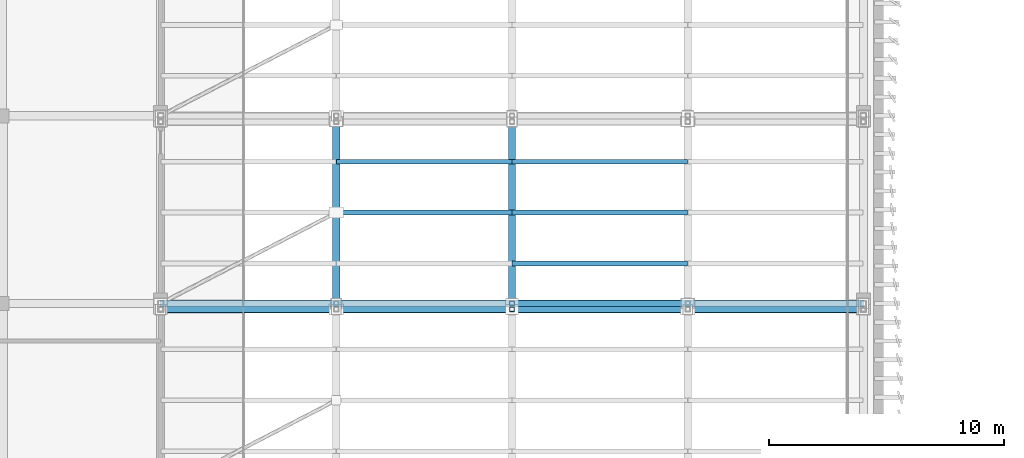
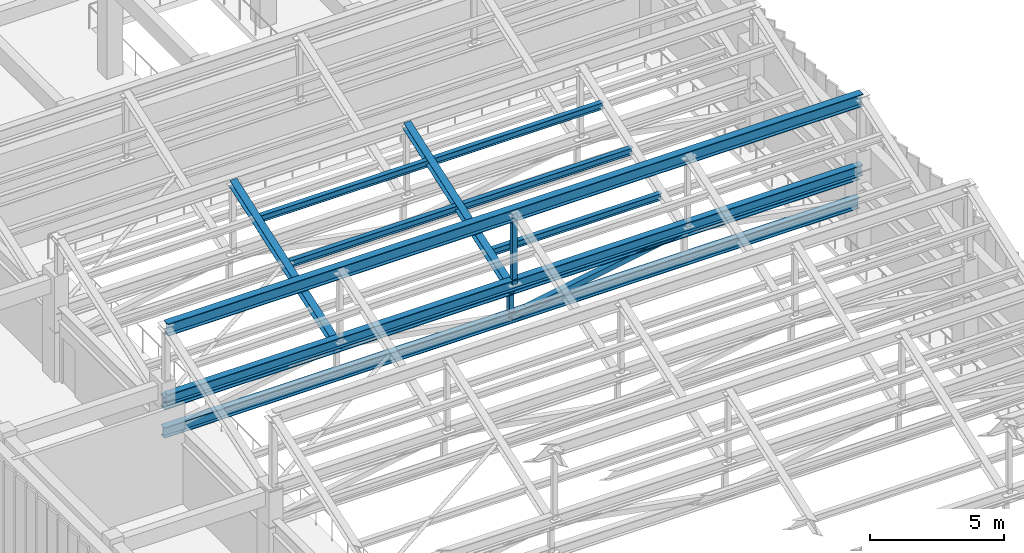
# One storey, part 11 of 76: 14 members.
"""IFC4 building model written with IfcOpenShell, lengths in metres."""

from ifc_helpers import new_model, si_unit, direction, frame, origin, origin_2d, place, context, subcontext, project, spatial, hollow_rectangle, i_section, extrude, material, material_profile, profile_set, type_object, element, save


model = new_model("IFC4")

# Units and contexts
model_context = context("Model", 3, precision=1e-05, world=origin(), true_north=direction((0.0, 1.0)))
body_context = subcontext(model_context, "Body", "Model", "MODEL_VIEW")
ifc_project = project(units=[si_unit("LENGTHUNIT", "METRE"), si_unit("AREAUNIT", "SQUARE_METRE"), si_unit("VOLUMEUNIT", "CUBIC_METRE"), si_unit("PLANEANGLEUNIT", "RADIAN"), si_unit("MASSUNIT", "GRAM", prefix="KILO")], contexts=[model_context])

# Site, building, storey
site_placement = place(None, origin())
site = spatial("IfcSite", under=ifc_project, at=site_placement, CompositionType="ELEMENT")
building_placement = place(site_placement, origin())
building = spatial("IfcBuilding", under=site, at=building_placement, Name="Cinchona Park Media Centre", CompositionType="ELEMENT")
storey_placement = place(building_placement, frame((0.0, 0.0, 15.60009765625)))
storey = spatial("IfcBuildingStorey", under=building, at=storey_placement, Name="L03", CompositionType="ELEMENT", Elevation=15.60009765625)

# Members
ifc_material_1 = material(Name="Steel S355", Category="steel")
ifc_material_profile_1 = material_profile(ifc_material_1, i_section(OverallWidth=0.202880859375, OverallDepth=0.302978515625, WebThickness=0.007568359375, FlangeThickness=0.01318359375, at=origin_2d()), Name="W310X60")
ifc_profile_set_1 = profile_set([ifc_material_profile_1], Name="Steel S355")
member_type_1 = type_object("IfcMemberType", Name="MEMBER-PR01-W310X60", PredefinedType="PURLIN", material=ifc_profile_set_1)
for number, where, z_axis, x_axis, name in (
    (1, (30.389892578125, 49.304931640625, 4.1123046875), (1.0, 0.0, 0.0), (0.0, 1.0, 0.0), "Sawtooth Roof Purlin PR01"),
    (2, (22.89990234375, 51.47509765625, 4.868408203125), (1.0, 0.0, 0.0), (0.0, 1.0, 0.0), "Sawtooth Roof Purlin PR01"),
    (3, (30.389892578125, 51.47509765625, 4.868408203125), (1.0, 0.0, 0.0), (0.0, 1.0, 0.0), "Sawtooth Roof Purlin PR01"),
    (4, (22.89990234375, 53.64501953125, 5.62451171875), (1.0, 0.0, 0.0), (0.0, 1.0, 0.0), "Sawtooth Roof Purlin PR01"),
    (5, (30.389892578125, 53.64501953125, 5.62451171875), (1.0, 0.0, 0.0), (0.0, 1.0, 0.0), "Sawtooth Roof Purlin PR01"),
):
    element("IfcMember", number, at=place(storey_placement, frame(where, z_axis=z_axis, x_axis=x_axis)), inside=storey, type_object=member_type_1, Name=name, PredefinedType="PURLIN", context=body_context, shape_type="SweptSolid", body=[
        extrude(i_section(OverallWidth=0.202880859375, OverallDepth=0.302978515625, WebThickness=0.007568359375, FlangeThickness=0.01318359375, at=origin_2d()), origin(), (0.0, 0.0, 1.0), 7.47021484375),
    ])
ifc_material_2 = material(Name="Steel S355", Category="steel")
ifc_material_profile_2 = material_profile(ifc_material_2, i_section(OverallWidth=0.318115234375, OverallDepth=0.56005859375, WebThickness=0.018310546875, FlangeThickness=0.029296875, at=origin_2d()), Name="W530X219")
ifc_profile_set_2 = profile_set([ifc_material_profile_2], Name="Steel S355")
member_type_2 = type_object("IfcMemberType", Name="MEMBER-TC01-W530X219", PredefinedType="CHORD", material=ifc_profile_set_2)
for number, where, z_axis, x_axis, name in (
    (6, (15.39990234375, 47.35009765625, 7.099853515625), (1.0, 0.0, 0.0), (0.0, 1.0, 0.0), "ROOF TRUSS Ridge Chord V1 Bay 5"),
    (7, (15.39990234375, 47.60009765625, 3.599853515625), (1.0, 0.0, 0.0), (0.0, 1.0, 0.0), "ROOF TRUSS Top Chord V1 B6"),
):
    element("IfcMember", number, at=place(storey_placement, frame(where, z_axis=z_axis, x_axis=x_axis)), inside=storey, type_object=member_type_2, Name=name, PredefinedType="CHORD", context=body_context, shape_type="SweptSolid", body=[
        extrude(i_section(OverallWidth=0.318115234375, OverallDepth=0.56005859375, WebThickness=0.018310546875, FlangeThickness=0.029296875, at=origin_2d()), origin(), (0.0, 0.0, 1.0), 29.960205078125),
    ])
ifc_material_3 = material(Name="Steel S355", Category="steel")
ifc_material_profile_3 = material_profile(ifc_material_3, i_section(OverallWidth=0.285888671875, OverallDepth=0.48193359375, WebThickness=0.0166015625, FlangeThickness=0.02685546875, at=origin_2d()), Name="W460X177")
ifc_profile_set_3 = profile_set([ifc_material_profile_3], Name="Steel S355")
member_type_3 = type_object("IfcMemberType", Name="MEMBER-TC02-W460X177", PredefinedType="CHORD", material=ifc_profile_set_3)
for number, where, z_axis, x_axis, name in (
    (8, (15.39990234375, 47.35009765625, 3.89990234375), (1.0, 0.0, 0.0), (0.0, 1.0, 0.0), "ROOF TRUSS Monitor Sill Chord V1 Bay 5"),
    (9, (15.39990234375, 47.60009765625, 2.25), (1.0, 0.0, 0.0), (0.0, 1.0, 0.0), "ROOF TRUSS Bottom Chord V1 B6"),
):
    element("IfcMember", number, at=place(storey_placement, frame(where, z_axis=z_axis, x_axis=x_axis)), inside=storey, type_object=member_type_3, Name=name, PredefinedType="CHORD", context=body_context, shape_type="SweptSolid", body=[
        extrude(i_section(OverallWidth=0.285888671875, OverallDepth=0.48193359375, WebThickness=0.0166015625, FlangeThickness=0.02685546875, at=origin_2d()), origin(), (0.0, 0.0, 1.0), 29.960205078125),
    ])
ifc_material_4 = material(Name="Steel S355", Category="steel")
ifc_material_profile_4 = material_profile(ifc_material_4, hollow_rectangle(XDim=0.199951171875, YDim=0.199951171875, WallThickness=0.012451171875, at=origin_2d()), Name="200X200X12.5SHS")
ifc_profile_set_4 = profile_set([ifc_material_profile_4], Name="Steel S355")
member_type_4 = type_object("IfcMemberType", Name="MEMBER-TS01-SHS200X200X12.5", PredefinedType="STRUT", material=ifc_profile_set_4)
member_1_placement = place(storey_placement, frame((30.3798828125, 47.35009765625, 3.89990234375), z_axis=(0.0, 0.0, 1.0), x_axis=(1.0, 0.0, 0.0)))
element("IfcMember", 10, at=member_1_placement, inside=storey, type_object=member_type_4, Name="ROOF TRUSS Monitor Post V1 Bay 5", PredefinedType="STRUT", context=body_context, shape_type="SweptSolid", body=[
    extrude(hollow_rectangle(XDim=0.199951171875, YDim=0.199951171875, WallThickness=0.012451171875, at=origin_2d()), origin(), (0.0, 0.0, 1.0), 3.199951171875),
])
member_2_placement = place(storey_placement, frame((30.3798828125, 47.60009765625, 2.25), z_axis=(0.0, 0.0, 1.0), x_axis=(1.0, 0.0, 0.0)))
element("IfcMember", 11, at=member_2_placement, inside=storey, type_object=member_type_4, Name="ROOF TRUSS Vertical Strut TN2", PredefinedType="STRUT", context=body_context, shape_type="SweptSolid", body=[
    extrude(hollow_rectangle(XDim=0.199951171875, YDim=0.199951171875, WallThickness=0.012451171875, at=origin_2d()), origin(), (0.0, 0.0, 1.0), 1.349853515625),
])
ifc_material_5 = material(Name="Steel S355", Category="steel")
ifc_material_profile_5 = material_profile(ifc_material_5, hollow_rectangle(XDim=0.25, YDim=0.25, WallThickness=0.01611328125, at=origin_2d()), Name="250X250X16SHS")
ifc_profile_set_5 = profile_set([ifc_material_profile_5], Name="Steel S355")
member_type_5 = type_object("IfcMemberType", Name="MEMBER-TS02-SHS250X250X16", PredefinedType="STRUT", material=ifc_profile_set_5)
member_3_placement = place(storey_placement, frame((30.3798828125, 47.60009765625, 2.25), z_axis=(0.984146390166, 0.0, 0.177358063599), x_axis=(0.0, 1.0, 0.0)))
element("IfcMember", 12, at=member_3_placement, inside=storey, type_object=member_type_5, Name="ROOF TRUSS Web Diagonal TN3", PredefinedType="STRUT", context=body_context, shape_type="SweptSolid", body=[
    extrude(hollow_rectangle(XDim=0.25, YDim=0.25, WallThickness=0.01611328125, at=origin_2d()), origin(), (0.0, 0.0, 1.0), 7.61083984375),
])
ifc_material_6 = material(Name="Steel S355", Category="steel")
ifc_material_profile_6 = material_profile(ifc_material_6, i_section(OverallWidth=0.304931640625, OverallDepth=0.30810546875, WebThickness=0.010009765625, FlangeThickness=0.015380859375, at=origin_2d()), Name="W310X97")
ifc_profile_set_6 = profile_set([ifc_material_profile_6], Name="Steel S355")
member_type_6 = type_object("IfcMemberType", Name="MEMBER-TS06-W310X97", PredefinedType="STRUT", material=ifc_profile_set_6)
for number, where, z_axis, x_axis, name in (
    (13, (22.889892578125, 47.60009765625, 3.599853515625), (0.0, 0.944334143314, 0.328987880888), (-1.0, 0.0, 0.0), "ROOF TRUSS Sawtooth Rafter V1 Bay 6"),
    (14, (30.3798828125, 47.60009765625, 3.599853515625), (0.0, 0.944334143314, 0.328987880888), (-1.0, 0.0, 0.0), "ROOF TRUSS Sawtooth Rafter V1 Bay 6"),
):
    element("IfcMember", number, at=place(storey_placement, frame(where, z_axis=z_axis, x_axis=x_axis)), inside=storey, type_object=member_type_6, Name=name, PredefinedType="STRUT", context=body_context, shape_type="SweptSolid", body=[
        extrude(i_section(OverallWidth=0.304931640625, OverallDepth=0.30810546875, WebThickness=0.010009765625, FlangeThickness=0.015380859375, at=origin_2d()), origin(), (0.0, 0.0, 1.0), 8.206787109375),
    ])

save(model, "model.ifc")
